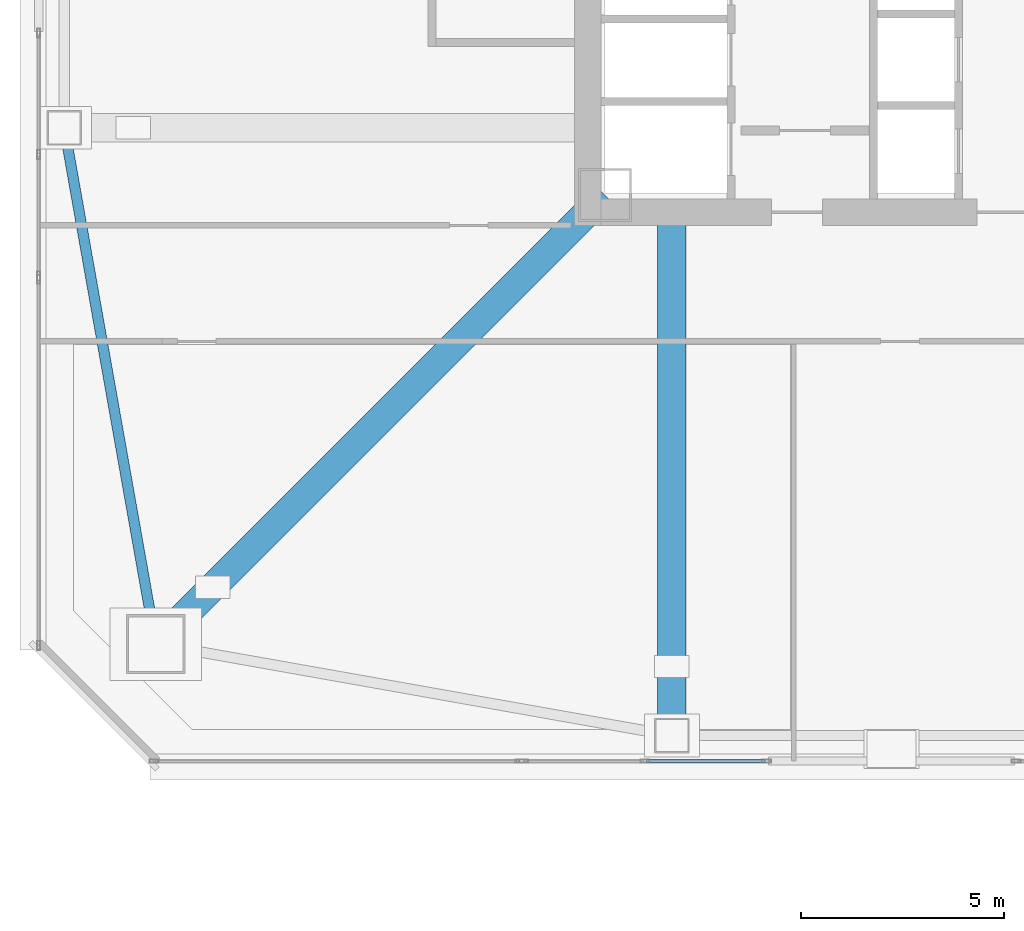
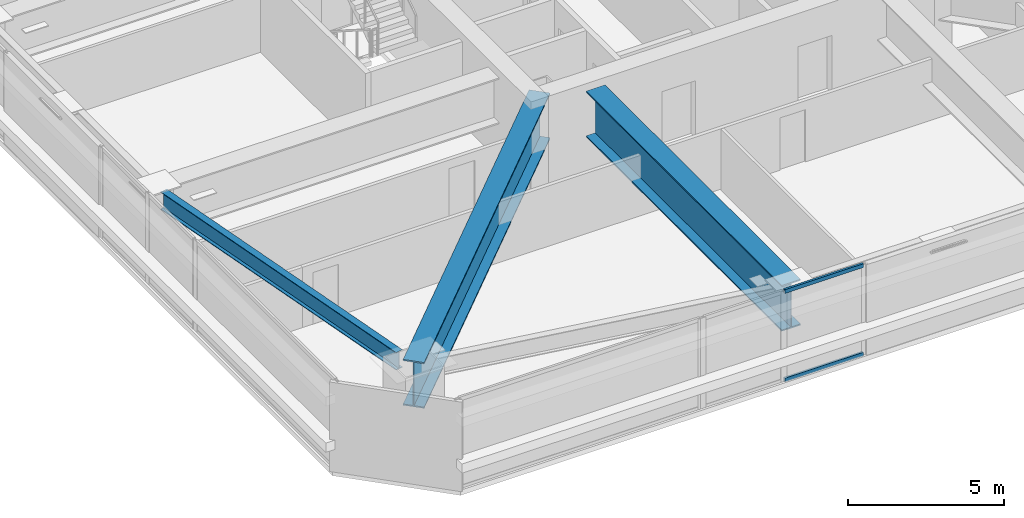
# One storey, part 4 of 49: 3 beams, 2 members, 1 element without a shape of its own.
"""IFC4 building model written with IfcOpenShell, lengths in metres."""

from ifc_helpers import new_model, si_unit, direction, frame, origin, origin_2d, place, context, subcontext, project, spatial, hollow_rectangle, i_section, extrude, material, material_profile, profile_set, type_object, element, aggregate, save


model = new_model("IFC4")

# Units and contexts
model_context = context("Model", 3, precision=1e-05, world=origin(), true_north=direction((0.0, 1.0)))
body_context = subcontext(model_context, "Body", "Model", "MODEL_VIEW")
ifc_project = project(units=[si_unit("LENGTHUNIT", "METRE"), si_unit("AREAUNIT", "SQUARE_METRE"), si_unit("VOLUMEUNIT", "CUBIC_METRE"), si_unit("PLANEANGLEUNIT", "RADIAN"), si_unit("MASSUNIT", "GRAM", prefix="KILO")], contexts=[model_context])

# Site, building, storey
site_placement = place(None, origin())
site = spatial("IfcSite", under=ifc_project, at=site_placement, CompositionType="ELEMENT")
building_placement = place(site_placement, origin())
building = spatial("IfcBuilding", under=site, at=building_placement, Name="Tashvorn Skyway Center", CompositionType="ELEMENT")
storey_placement = place(building_placement, frame((0.0, 0.0, 106.25)))
storey = spatial("IfcBuildingStorey", under=building, at=storey_placement, Name="L28", CompositionType="ELEMENT", Elevation=106.25)

# Beams
ifc_material_1 = material(Name="Steel ASTM A572 Grade 50", Category="steel")
ifc_material_profile_1 = material_profile(ifc_material_1, i_section(OverallWidth=0.699951171875, OverallDepth=1.800048828125, WebThickness=0.031982421875, FlangeThickness=0.050048828125, at=origin_2d()), Name="PG1800x700")
ifc_profile_set_1 = profile_set([ifc_material_profile_1], Name="Steel ASTM A572 Grade 50")
beam_type_1 = type_object("IfcBeamType", Name="BM-BEAM-PG1800x700", PredefinedType="BEAM", material=ifc_profile_set_1)
beam_1_placement = place(storey_placement, frame((23.89990234375, 13.89990234375, 2.35009765625), z_axis=(0.707106781187, 0.707106781187, 0.0), x_axis=(-0.707106781187, 0.707106781187, 0.0)))
element("IfcBeam", 1, at=beam_1_placement, inside=storey, type_object=beam_type_1, Name="Tower 1 L28 Setback Transfer Girder MC-SW", PredefinedType="BEAM", context=body_context, shape_type="SweptSolid", body=[
    extrude(i_section(OverallWidth=0.699951171875, OverallDepth=1.800048828125, WebThickness=0.031982421875, FlangeThickness=0.050048828125, at=origin_2d()), origin(), (0.0, 0.0, 1.0), 15.627197265625),
])
beam_2_placement = place(storey_placement, frame((36.60009765625, 11.64990234375, 2.35009765625), z_axis=(0.0, 1.0, 0.0), x_axis=(-1.0, 0.0, 0.0)))
element("IfcBeam", 2, at=beam_2_placement, inside=storey, type_object=beam_type_1, Name="Tower 1 L28 Setback Transfer Girder FC-S1", PredefinedType="BEAM", context=body_context, shape_type="SweptSolid", body=[
    extrude(i_section(OverallWidth=0.699951171875, OverallDepth=1.800048828125, WebThickness=0.031982421875, FlangeThickness=0.050048828125, at=origin_2d()), origin(), (0.0, 0.0, 1.0), 12.570068359375),
])
ifc_material_2 = material(Name="Steel ASTM A992 Grade 50", Category="steel")
ifc_material_profile_2 = material_profile(ifc_material_2, i_section(OverallWidth=0.256103515625, OverallDepth=0.693115234375, WebThickness=0.014404296875, FlangeThickness=0.023681640625, at=origin_2d()), Name="W27X114")
ifc_profile_set_2 = profile_set([ifc_material_profile_2], Name="Steel ASTM A992 Grade 50")
beam_type_2 = type_object("IfcBeamType", Name="BM-SPANDREL-W27X114", PredefinedType="SPANDREL", material=ifc_profile_set_2)
beam_3_placement = place(storey_placement, frame((21.723388671875, 26.1865234375, 2.903564453125), z_axis=(0.174437966698, -0.98466816531, 0.0), x_axis=(0.98466816531, 0.174437966698, 0.0)))
element("IfcBeam", 3, at=beam_3_placement, inside=storey, type_object=beam_type_2, Name="Tower 1 L28 Spandrel Beam 12", PredefinedType="SPANDREL", context=body_context, shape_type="SweptSolid", body=[
    extrude(i_section(OverallWidth=0.256103515625, OverallDepth=0.693115234375, WebThickness=0.014404296875, FlangeThickness=0.023681640625, at=origin_2d()), origin(), (0.0, 0.0, 1.0), 11.7578125),
])

# Curtain wall, members
ifc_material_3 = material(Name="Thermally broken bronze-anodized aluminium 6063-T6", Category="aluminium")
curtain_wall_type = type_object("IfcCurtainWallType", Name="CW-CW-Z2", PredefinedType="NOTDEFINED", material=ifc_material_3)
curtain_wall_placement = place(storey_placement, origin())
curtain_wall = element("IfcCurtainWall", 4, at=curtain_wall_placement, inside=storey, type_object=curtain_wall_type, Name="Tower 1 L28 South Unitised Curtain Wall Glazing Group 3", PredefinedType="NOTDEFINED")
ifc_material_profile_3 = material_profile(ifc_material_3, hollow_rectangle(XDim=0.080078125, YDim=0.14990234375, WallThickness=0.00439453125, at=origin_2d()), Name="ALU-TRAN-80x150")
ifc_profile_set_3 = profile_set([ifc_material_profile_3], Name="Thermally broken bronze-anodized aluminium 6063-T6")
member_type = type_object("IfcMemberType", Name="CWT-CW-Z2", PredefinedType="USERDEFINED", material=ifc_profile_set_3)
member_1_placement = place(storey_placement, frame((38.889892578125, 11.02001953125, 0.0400390625), z_axis=(-1.0, 0.0, 0.0), x_axis=(0.0, -1.0, 0.0)))
member_1 = element("IfcMember", 5, at=member_1_placement, type_object=member_type, Name="CW-Z2 transom 1.1", ObjectType="TRANSOM", PredefinedType="USERDEFINED", context=body_context, shape_type="SweptSolid", body=[
    extrude(hollow_rectangle(XDim=0.080078125, YDim=0.14990234375, WallThickness=0.00439453125, at=origin_2d()), origin(), (0.0, 0.0, 1.0), 2.909912109375),
])
member_2_placement = place(storey_placement, frame((38.889892578125, 11.02001953125, 3.510009765625), z_axis=(-1.0, 0.0, 0.0), x_axis=(0.0, -1.0, 0.0)))
member_2 = element("IfcMember", 6, at=member_2_placement, type_object=member_type, Name="CW-Z2 transom 1.2", ObjectType="TRANSOM", PredefinedType="USERDEFINED", context=body_context, shape_type="SweptSolid", body=[
    extrude(hollow_rectangle(XDim=0.080078125, YDim=0.14990234375, WallThickness=0.00439453125, at=origin_2d()), origin(), (0.0, 0.0, 1.0), 2.909912109375),
])
aggregate(curtain_wall, [member_1, member_2])

save(model, "model.ifc")
